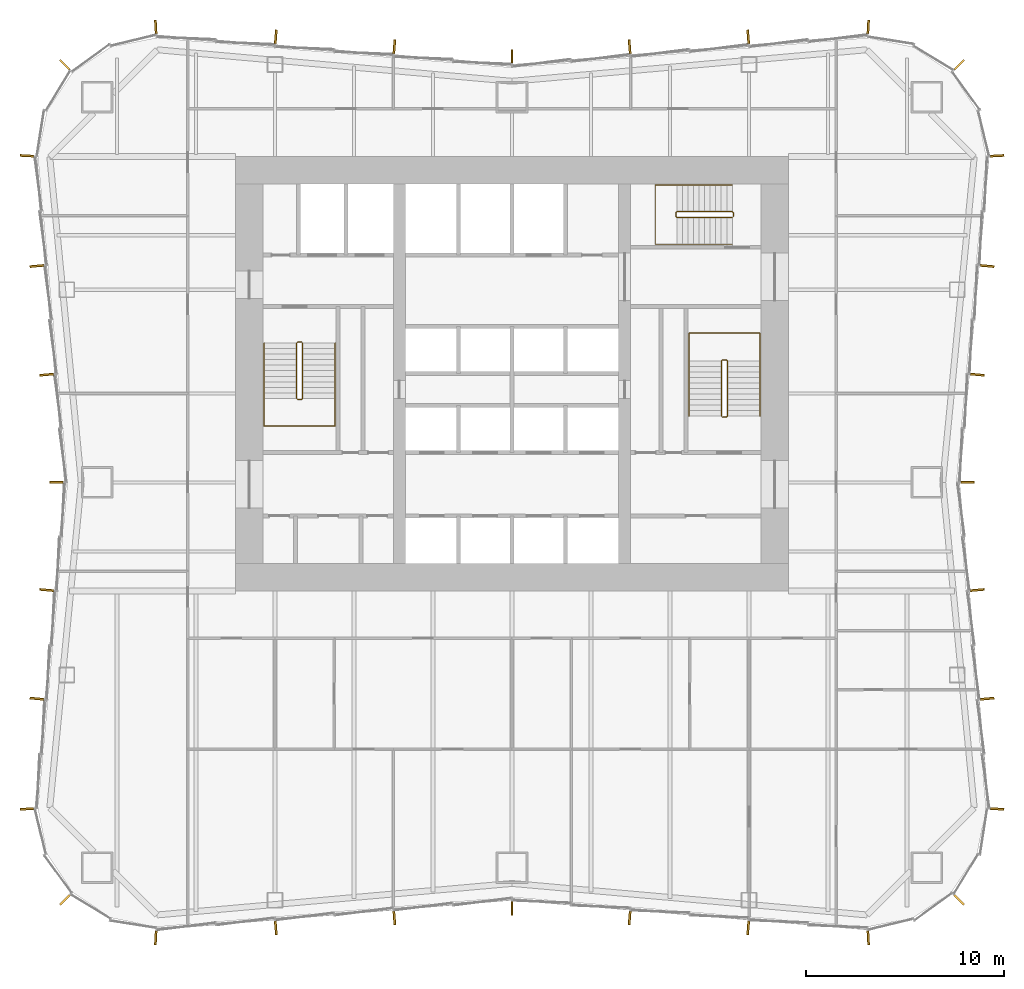
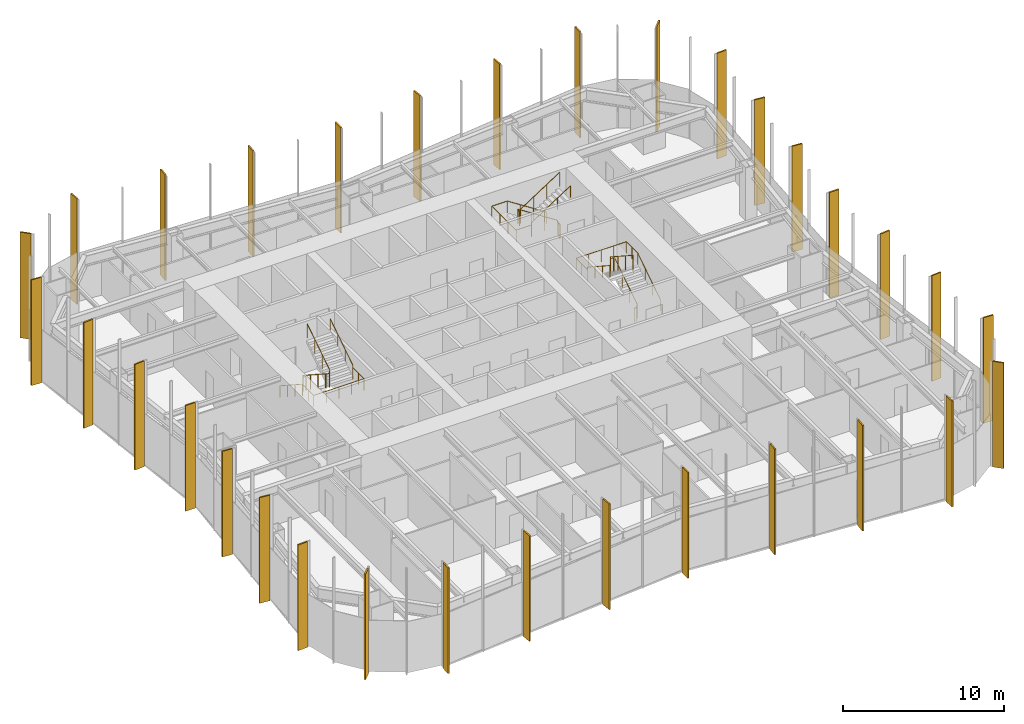
# One storey, part 13 of 13: 32 shading devices, 6 railings.
"""IFC4 building model written with IfcOpenShell, lengths in metres."""

from ifc_helpers import new_model, si_unit, direction, frame, origin, origin_2d, place, context, subcontext, project, spatial, rectangle, circle, extrude, material, layer, layer_set, type_object, element, save


model = new_model("IFC4")

# Units and contexts
model_context = context("Model", 3, precision=1e-05, world=origin(), true_north=direction((0.0, 1.0)))
body_context = subcontext(model_context, "Body", "Model", "MODEL_VIEW")
ifc_project = project(units=[si_unit("LENGTHUNIT", "METRE"), si_unit("AREAUNIT", "SQUARE_METRE"), si_unit("VOLUMEUNIT", "CUBIC_METRE"), si_unit("PLANEANGLEUNIT", "RADIAN"), si_unit("MASSUNIT", "GRAM", prefix="KILO")], contexts=[model_context])

# Site, building, storey
site_placement = place(None, origin())
site = spatial("IfcSite", under=ifc_project, at=site_placement, CompositionType="ELEMENT")
building_placement = place(site_placement, origin())
building = spatial("IfcBuilding", under=site, at=building_placement, Name="Verdant Reach Tower", CompositionType="ELEMENT")
storey_placement = place(building_placement, frame((0.0, 0.0, 50.0)))
storey = spatial("IfcBuildingStorey", under=building, at=storey_placement, Name="L11", CompositionType="ELEMENT", Elevation=50.0)

# Railings
ifc_material_1 = material(Name="Stainless steel", Category="steel")
railing_type_1 = type_object("IfcRailingType", Name="CO-GUARD", PredefinedType="GUARDRAIL", material=ifc_material_1)
railing_1_placement = place(storey_placement, frame((-10.64990234375, 29.60009765625, 0.0)))
element("IfcRailing", 1, at=railing_1_placement, inside=storey, type_object=railing_type_1, Name="L11 ST-1 stair guard 1", PredefinedType="GUARDRAIL", context=body_context, shape_type="SweptSolid", body=[
    extrude(circle(Radius=0.02392578125, at=origin_2d()), frame((0.0, 0.0, 1.076171875), z_axis=(-1.0, 0.0, 0.0), x_axis=(0.0, -1.0, 0.0)), (0.0, 0.0, 1.0), 0.2001953125),
    extrude(circle(Radius=0.02392578125, at=origin_2d()), frame((-0.2001953125, 0.0, 1.076171875), z_axis=(-0.25526617399, -0.256517478764, 0.932222056972), x_axis=(0.708833529934, -0.705375805398, 0.0)), (0.0, 0.0, 1.0), 0.195068359375),
    extrude(circle(Radius=0.02392578125, at=origin_2d()), frame((-0.25, -0.050048828125, 1.2578125), z_axis=(0.0, -0.838705829183, 0.544584733623), x_axis=(1.0, 0.0, 0.0)), (0.0, 0.0, 1.0), 3.338623046875),
    extrude(circle(Radius=0.02392578125, at=origin_2d()), frame((-0.25, -2.85009765625, 3.076171875), z_axis=(0.705375805398, -0.708833529934, 0.0), x_axis=(0.708833529934, 0.705375805398, 0.0)), (0.0, 0.0, 1.0), 0.070556640625),
    extrude(circle(Radius=0.02392578125, at=origin_2d()), frame((-0.2001953125, -2.900146484375, 3.076171875), z_axis=(1.0, 0.0, 0.0), x_axis=(0.0, 1.0, 0.0)), (0.0, 0.0, 1.0), 0.2001953125),
    extrude(circle(Radius=0.02392578125, at=origin_2d()), frame((0.0, -2.900146484375, 3.076171875), z_axis=(0.25526617399, 0.256517478764, 0.932222056972), x_axis=(-0.708833529934, 0.705375805398, 0.0)), (0.0, 0.0, 1.0), 0.195068359375),
    extrude(circle(Radius=0.02392578125, at=origin_2d()), frame((0.0498046875, -2.85009765625, 3.2578125), z_axis=(0.0, 0.838705829183, 0.544584733623), x_axis=(-1.0, 0.0, 0.0)), (0.0, 0.0, 1.0), 3.338623046875),
    extrude(circle(Radius=0.02099609375, at=origin_2d()), origin(), (0.0, 0.0, 1.0), 1.052001953125),
    extrude(circle(Radius=0.02099609375, at=origin_2d()), frame((-0.2001953125, 0.0, 0.0)), (0.0, 0.0, 1.0), 1.052001953125),
    extrude(circle(Radius=0.02099609375, at=origin_2d()), frame((-0.25, -0.050048828125, 0.181884765625)), (0.0, 0.0, 1.0), 1.052001953125),
    extrude(circle(Radius=0.02099609375, at=origin_2d()), frame((-0.25, -0.9833984375, 0.787841796875)), (0.0, 0.0, 1.0), 1.052001953125),
    extrude(circle(Radius=0.02099609375, at=origin_2d()), frame((-0.25, -1.916748046875, 1.39404296875)), (0.0, 0.0, 1.0), 1.052001953125),
    extrude(circle(Radius=0.02099609375, at=origin_2d()), frame((-0.25, -2.85009765625, 2.0)), (0.0, 0.0, 1.0), 1.052001953125),
    extrude(circle(Radius=0.02099609375, at=origin_2d()), frame((-0.2001953125, -2.900146484375, 2.0)), (0.0, 0.0, 1.0), 1.052001953125),
    extrude(circle(Radius=0.02099609375, at=origin_2d()), frame((0.0, -2.900146484375, 2.0)), (0.0, 0.0, 1.0), 1.052001953125),
    extrude(circle(Radius=0.02099609375, at=origin_2d()), frame((0.0498046875, -2.85009765625, 2.181884765625)), (0.0, 0.0, 1.0), 1.052001953125),
    extrude(circle(Radius=0.02099609375, at=origin_2d()), frame((0.0498046875, -1.916748046875, 2.787841796875)), (0.0, 0.0, 1.0), 1.052001953125),
    extrude(circle(Radius=0.02099609375, at=origin_2d()), frame((0.0498046875, -0.9833984375, 3.39404296875)), (0.0, 0.0, 1.0), 1.052001953125),
    extrude(circle(Radius=0.02099609375, at=origin_2d()), frame((0.0498046875, -0.050048828125, 4.0)), (0.0, 0.0, 1.0), 1.052001953125),
])
railing_2_placement = place(storey_placement, frame((10.64990234375, 25.800048828125, 0.0)))
element("IfcRailing", 2, at=railing_2_placement, inside=storey, type_object=railing_type_1, Name="L11 ST-2 stair guard 1", PredefinedType="GUARDRAIL", context=body_context, shape_type="SweptSolid", body=[
    extrude(circle(Radius=0.02392578125, at=origin_2d()), frame((0.0, 0.0, 1.076171875), z_axis=(1.0, 0.0, 0.0), x_axis=(0.0, 1.0, 0.0)), (0.0, 0.0, 1.0), 0.2001953125),
    extrude(circle(Radius=0.02392578125, at=origin_2d()), frame((0.2001953125, 0.0, 1.076171875), z_axis=(0.25526617399, 0.256517478764, 0.932222056972), x_axis=(-0.708833529934, 0.705375805398, 0.0)), (0.0, 0.0, 1.0), 0.195068359375),
    extrude(circle(Radius=0.02392578125, at=origin_2d()), frame((0.25, 0.050048828125, 1.2578125), z_axis=(0.0, 0.83868413941, 0.544618136222), x_axis=(-1.0, 0.0, 0.0)), (0.0, 0.0, 1.0), 3.33837890625),
    extrude(circle(Radius=0.02392578125, at=origin_2d()), frame((0.25, 2.849853515625, 3.076171875), z_axis=(-0.705375805398, 0.708833529934, 0.0), x_axis=(-0.708833529934, -0.705375805398, 0.0)), (0.0, 0.0, 1.0), 0.070556640625),
    extrude(circle(Radius=0.02392578125, at=origin_2d()), frame((0.2001953125, 2.89990234375, 3.076171875), z_axis=(-1.0, 0.0, 0.0), x_axis=(0.0, -1.0, 0.0)), (0.0, 0.0, 1.0), 0.2001953125),
    extrude(circle(Radius=0.02392578125, at=origin_2d()), frame((0.0, 2.89990234375, 3.076171875), z_axis=(-0.25526617399, -0.256517478764, 0.932222056972), x_axis=(0.708833529934, -0.705375805398, 0.0)), (0.0, 0.0, 1.0), 0.195068359375),
    extrude(circle(Radius=0.02392578125, at=origin_2d()), frame((-0.0498046875, 2.849853515625, 3.2578125), z_axis=(0.0, -0.83868413941, 0.544618136222), x_axis=(1.0, 0.0, 0.0)), (0.0, 0.0, 1.0), 3.33837890625),
    extrude(circle(Radius=0.02099609375, at=origin_2d()), origin(), (0.0, 0.0, 1.0), 1.052001953125),
    extrude(circle(Radius=0.02099609375, at=origin_2d()), frame((0.2001953125, 0.0, 0.0)), (0.0, 0.0, 1.0), 1.052001953125),
    extrude(circle(Radius=0.02099609375, at=origin_2d()), frame((0.25, 0.050048828125, 0.181884765625)), (0.0, 0.0, 1.0), 1.052001953125),
    extrude(circle(Radius=0.02099609375, at=origin_2d()), frame((0.25, 0.9833984375, 0.787841796875)), (0.0, 0.0, 1.0), 1.052001953125),
    extrude(circle(Radius=0.02099609375, at=origin_2d()), frame((0.25, 1.91650390625, 1.39404296875)), (0.0, 0.0, 1.0), 1.052001953125),
    extrude(circle(Radius=0.02099609375, at=origin_2d()), frame((0.25, 2.849853515625, 2.0)), (0.0, 0.0, 1.0), 1.052001953125),
    extrude(circle(Radius=0.02099609375, at=origin_2d()), frame((0.2001953125, 2.89990234375, 2.0)), (0.0, 0.0, 1.0), 1.052001953125),
    extrude(circle(Radius=0.02099609375, at=origin_2d()), frame((0.0, 2.89990234375, 2.0)), (0.0, 0.0, 1.0), 1.052001953125),
    extrude(circle(Radius=0.02099609375, at=origin_2d()), frame((-0.0498046875, 2.849853515625, 2.181884765625)), (0.0, 0.0, 1.0), 1.052001953125),
    extrude(circle(Radius=0.02099609375, at=origin_2d()), frame((-0.0498046875, 1.91650390625, 2.787841796875)), (0.0, 0.0, 1.0), 1.052001953125),
    extrude(circle(Radius=0.02099609375, at=origin_2d()), frame((-0.0498046875, 0.9833984375, 3.39404296875)), (0.0, 0.0, 1.0), 1.052001953125),
    extrude(circle(Radius=0.02099609375, at=origin_2d()), frame((-0.0498046875, 0.050048828125, 4.0)), (0.0, 0.0, 1.0), 1.052001953125),
])
railing_3_placement = place(storey_placement, frame((11.199951171875, 35.949951171875, 0.0)))
element("IfcRailing", 3, at=railing_3_placement, inside=storey, type_object=railing_type_1, Name="L11 ST-3 stair guard 1", PredefinedType="GUARDRAIL", context=body_context, shape_type="SweptSolid", body=[
    extrude(circle(Radius=0.02392578125, at=origin_2d()), frame((0.0, 0.0, 1.076171875), z_axis=(0.0, 1.0, 0.0), x_axis=(-1.0, 0.0, 0.0)), (0.0, 0.0, 1.0), 0.199951171875),
    extrude(circle(Radius=0.02392578125, at=origin_2d()), frame((0.0, 0.199951171875, 1.076171875), z_axis=(-0.256435381639, 0.256435381639, 0.931923704005), x_axis=(-0.707106781187, -0.707106781187, 0.0)), (0.0, 0.0, 1.0), 0.195068359375),
    extrude(circle(Radius=0.02392578125, at=origin_2d()), frame((-0.050048828125, 0.25, 1.2578125), z_axis=(-0.83868413941, 0.0, 0.544618136222), x_axis=(0.0, -1.0, 0.0)), (0.0, 0.0, 1.0), 3.33837890625),
    extrude(circle(Radius=0.02392578125, at=origin_2d()), frame((-2.849853515625, 0.25, 3.076171875), z_axis=(-0.707106781187, -0.707106781187, 0.0), x_axis=(0.707106781187, -0.707106781187, 0.0)), (0.0, 0.0, 1.0), 0.07080078125),
    extrude(circle(Radius=0.02392578125, at=origin_2d()), frame((-2.89990234375, 0.199951171875, 3.076171875), z_axis=(0.0, -1.0, 0.0), x_axis=(1.0, 0.0, 0.0)), (0.0, 0.0, 1.0), 0.199951171875),
    extrude(circle(Radius=0.02392578125, at=origin_2d()), frame((-2.89990234375, 0.0, 3.076171875), z_axis=(0.256435381639, -0.256435381639, 0.931923704005), x_axis=(0.707106781187, 0.707106781187, 0.0)), (0.0, 0.0, 1.0), 0.195068359375),
    extrude(circle(Radius=0.02392578125, at=origin_2d()), frame((-2.849853515625, -0.050048828125, 3.2578125), z_axis=(0.83868413941, 0.0, 0.544618136222), x_axis=(0.0, 1.0, 0.0)), (0.0, 0.0, 1.0), 3.33837890625),
    extrude(circle(Radius=0.02099609375, at=origin_2d()), origin(), (0.0, 0.0, 1.0), 1.052001953125),
    extrude(circle(Radius=0.02099609375, at=origin_2d()), frame((0.0, 0.199951171875, 0.0)), (0.0, 0.0, 1.0), 1.052001953125),
    extrude(circle(Radius=0.02099609375, at=origin_2d()), frame((-0.050048828125, 0.25, 0.181884765625)), (0.0, 0.0, 1.0), 1.052001953125),
    extrude(circle(Radius=0.02099609375, at=origin_2d()), frame((-0.9833984375, 0.25, 0.787841796875)), (0.0, 0.0, 1.0), 1.052001953125),
    extrude(circle(Radius=0.02099609375, at=origin_2d()), frame((-1.91650390625, 0.25, 1.39404296875)), (0.0, 0.0, 1.0), 1.052001953125),
    extrude(circle(Radius=0.02099609375, at=origin_2d()), frame((-2.849853515625, 0.25, 2.0)), (0.0, 0.0, 1.0), 1.052001953125),
    extrude(circle(Radius=0.02099609375, at=origin_2d()), frame((-2.89990234375, 0.199951171875, 2.0)), (0.0, 0.0, 1.0), 1.052001953125),
    extrude(circle(Radius=0.02099609375, at=origin_2d()), frame((-2.89990234375, 0.0, 2.0)), (0.0, 0.0, 1.0), 1.052001953125),
    extrude(circle(Radius=0.02099609375, at=origin_2d()), frame((-2.849853515625, -0.050048828125, 2.181884765625)), (0.0, 0.0, 1.0), 1.052001953125),
    extrude(circle(Radius=0.02099609375, at=origin_2d()), frame((-1.91650390625, -0.050048828125, 2.787841796875)), (0.0, 0.0, 1.0), 1.052001953125),
    extrude(circle(Radius=0.02099609375, at=origin_2d()), frame((-0.9833984375, -0.050048828125, 3.39404296875)), (0.0, 0.0, 1.0), 1.052001953125),
    extrude(circle(Radius=0.02099609375, at=origin_2d()), frame((-0.050048828125, -0.050048828125, 4.0)), (0.0, 0.0, 1.0), 1.052001953125),
])
railing_type_2 = type_object("IfcRailingType", Name="CO-HANDRAIL", PredefinedType="HANDRAIL", material=ifc_material_1)
railing_4_placement = place(storey_placement, frame((-12.550048828125, 29.550048828125, 0.181884765625)))
element("IfcRailing", 4, at=railing_4_placement, inside=storey, type_object=railing_type_2, Name="L11 ST-1 stair handrail 1", PredefinedType="HANDRAIL", context=body_context, shape_type="SweptSolid", body=[
    extrude(circle(Radius=0.02392578125, at=origin_2d()), frame((0.0, 0.0, 0.8759765625), z_axis=(0.0, -0.838705829183, 0.544584733623), x_axis=(1.0, 0.0, 0.0)), (0.0, 0.0, 1.0), 3.338623046875),
    extrude(circle(Radius=0.02392578125, at=origin_2d()), frame((0.0, -2.800048828125, 2.69384765625), z_axis=(0.0, -1.0, 0.0), x_axis=(1.0, 0.0, 0.0)), (0.0, 0.0, 1.0), 1.39990234375),
    extrude(circle(Radius=0.02392578125, at=origin_2d()), frame((0.0, -4.199951171875, 2.69384765625), z_axis=(1.0, 0.0, 0.0), x_axis=(0.0, 1.0, 0.0)), (0.0, 0.0, 1.0), 3.60009765625),
    extrude(circle(Radius=0.02392578125, at=origin_2d()), frame((3.60009765625, -4.199951171875, 2.69384765625), z_axis=(0.0, 1.0, 0.0), x_axis=(-1.0, 0.0, 0.0)), (0.0, 0.0, 1.0), 1.39990234375),
    extrude(circle(Radius=0.02392578125, at=origin_2d()), frame((3.60009765625, -2.800048828125, 2.69384765625), z_axis=(0.0, 0.0, 1.0), x_axis=(1.0, 0.0, 0.0)), (0.0, 0.0, 1.0), 0.181884765625),
    extrude(circle(Radius=0.02392578125, at=origin_2d()), frame((3.60009765625, -2.800048828125, 2.8759765625), z_axis=(0.0, 0.838705829183, 0.544584733623), x_axis=(-1.0, 0.0, 0.0)), (0.0, 0.0, 1.0), 3.338623046875),
    extrude(circle(Radius=0.02099609375, at=origin_2d()), origin(), (0.0, 0.0, 1.0), 0.851806640625),
    extrude(circle(Radius=0.02099609375, at=origin_2d()), frame((0.0, -0.933349609375, 0.60595703125)), (0.0, 0.0, 1.0), 0.851806640625),
    extrude(circle(Radius=0.02099609375, at=origin_2d()), frame((0.0, -1.86669921875, 1.212158203125)), (0.0, 0.0, 1.0), 0.851806640625),
    extrude(circle(Radius=0.02099609375, at=origin_2d()), frame((0.0, -2.800048828125, 1.818115234375)), (0.0, 0.0, 1.0), 0.851806640625),
    extrude(circle(Radius=0.02099609375, at=origin_2d()), frame((0.0, -3.5, 1.818115234375)), (0.0, 0.0, 1.0), 0.851806640625),
    extrude(circle(Radius=0.02099609375, at=origin_2d()), frame((0.0, -4.199951171875, 1.818115234375)), (0.0, 0.0, 1.0), 0.851806640625),
    extrude(circle(Radius=0.02099609375, at=origin_2d()), frame((0.89990234375, -4.199951171875, 1.818115234375)), (0.0, 0.0, 1.0), 0.851806640625),
    extrude(circle(Radius=0.02099609375, at=origin_2d()), frame((1.800048828125, -4.199951171875, 1.818115234375)), (0.0, 0.0, 1.0), 0.851806640625),
    extrude(circle(Radius=0.02099609375, at=origin_2d()), frame((2.7001953125, -4.199951171875, 1.818115234375)), (0.0, 0.0, 1.0), 0.851806640625),
    extrude(circle(Radius=0.02099609375, at=origin_2d()), frame((3.60009765625, -4.199951171875, 1.818115234375)), (0.0, 0.0, 1.0), 0.851806640625),
    extrude(circle(Radius=0.02099609375, at=origin_2d()), frame((3.60009765625, -3.5, 1.818115234375)), (0.0, 0.0, 1.0), 0.851806640625),
    extrude(circle(Radius=0.02099609375, at=origin_2d()), frame((3.60009765625, -2.800048828125, 1.818115234375)), (0.0, 0.0, 1.0), 0.851806640625),
    extrude(circle(Radius=0.02099609375, at=origin_2d()), frame((3.60009765625, -2.800048828125, 2.0)), (0.0, 0.0, 1.0), 0.851806640625),
    extrude(circle(Radius=0.02099609375, at=origin_2d()), frame((3.60009765625, -1.86669921875, 2.60595703125)), (0.0, 0.0, 1.0), 0.851806640625),
    extrude(circle(Radius=0.02099609375, at=origin_2d()), frame((3.60009765625, -0.933349609375, 3.212158203125)), (0.0, 0.0, 1.0), 0.851806640625),
    extrude(circle(Radius=0.02099609375, at=origin_2d()), frame((3.60009765625, 0.0, 3.818115234375)), (0.0, 0.0, 1.0), 0.851806640625),
])
railing_5_placement = place(storey_placement, frame((12.550048828125, 25.85009765625, 0.181884765625)))
element("IfcRailing", 5, at=railing_5_placement, inside=storey, type_object=railing_type_2, Name="L11 ST-2 stair handrail 1", PredefinedType="HANDRAIL", context=body_context, shape_type="SweptSolid", body=[
    extrude(circle(Radius=0.02392578125, at=origin_2d()), frame((0.0, 0.0, 0.8759765625), z_axis=(0.0, 0.83868413941, 0.544618136222), x_axis=(-1.0, 0.0, 0.0)), (0.0, 0.0, 1.0), 3.33837890625),
    extrude(circle(Radius=0.02392578125, at=origin_2d()), frame((0.0, 2.7998046875, 2.69384765625), z_axis=(0.0, 1.0, 0.0), x_axis=(-1.0, 0.0, 0.0)), (0.0, 0.0, 1.0), 1.400146484375),
    extrude(circle(Radius=0.02392578125, at=origin_2d()), frame((0.0, 4.199951171875, 2.69384765625), z_axis=(-1.0, 0.0, 0.0), x_axis=(0.0, -1.0, 0.0)), (0.0, 0.0, 1.0), 3.60009765625),
    extrude(circle(Radius=0.02392578125, at=origin_2d()), frame((-3.60009765625, 4.199951171875, 2.69384765625), z_axis=(0.0, -1.0, 0.0), x_axis=(1.0, 0.0, 0.0)), (0.0, 0.0, 1.0), 1.400146484375),
    extrude(circle(Radius=0.02392578125, at=origin_2d()), frame((-3.60009765625, 2.7998046875, 2.69384765625), z_axis=(0.0, 0.0, 1.0), x_axis=(1.0, 0.0, 0.0)), (0.0, 0.0, 1.0), 0.181884765625),
    extrude(circle(Radius=0.02392578125, at=origin_2d()), frame((-3.60009765625, 2.7998046875, 2.8759765625), z_axis=(0.0, -0.83868413941, 0.544618136222), x_axis=(1.0, 0.0, 0.0)), (0.0, 0.0, 1.0), 3.33837890625),
    extrude(circle(Radius=0.02099609375, at=origin_2d()), origin(), (0.0, 0.0, 1.0), 0.851806640625),
    extrude(circle(Radius=0.02099609375, at=origin_2d()), frame((0.0, 0.933349609375, 0.60595703125)), (0.0, 0.0, 1.0), 0.851806640625),
    extrude(circle(Radius=0.02099609375, at=origin_2d()), frame((0.0, 1.866455078125, 1.212158203125)), (0.0, 0.0, 1.0), 0.851806640625),
    extrude(circle(Radius=0.02099609375, at=origin_2d()), frame((0.0, 2.7998046875, 1.818115234375)), (0.0, 0.0, 1.0), 0.851806640625),
    extrude(circle(Radius=0.02099609375, at=origin_2d()), frame((0.0, 3.5, 1.818115234375)), (0.0, 0.0, 1.0), 0.851806640625),
    extrude(circle(Radius=0.02099609375, at=origin_2d()), frame((0.0, 4.199951171875, 1.818115234375)), (0.0, 0.0, 1.0), 0.851806640625),
    extrude(circle(Radius=0.02099609375, at=origin_2d()), frame((-0.89990234375, 4.199951171875, 1.818115234375)), (0.0, 0.0, 1.0), 0.851806640625),
    extrude(circle(Radius=0.02099609375, at=origin_2d()), frame((-1.800048828125, 4.199951171875, 1.818115234375)), (0.0, 0.0, 1.0), 0.851806640625),
    extrude(circle(Radius=0.02099609375, at=origin_2d()), frame((-2.7001953125, 4.199951171875, 1.818115234375)), (0.0, 0.0, 1.0), 0.851806640625),
    extrude(circle(Radius=0.02099609375, at=origin_2d()), frame((-3.60009765625, 4.199951171875, 1.818115234375)), (0.0, 0.0, 1.0), 0.851806640625),
    extrude(circle(Radius=0.02099609375, at=origin_2d()), frame((-3.60009765625, 3.5, 1.818115234375)), (0.0, 0.0, 1.0), 0.851806640625),
    extrude(circle(Radius=0.02099609375, at=origin_2d()), frame((-3.60009765625, 2.7998046875, 1.818115234375)), (0.0, 0.0, 1.0), 0.851806640625),
    extrude(circle(Radius=0.02099609375, at=origin_2d()), frame((-3.60009765625, 2.7998046875, 2.0)), (0.0, 0.0, 1.0), 0.851806640625),
    extrude(circle(Radius=0.02099609375, at=origin_2d()), frame((-3.60009765625, 1.866455078125, 2.60595703125)), (0.0, 0.0, 1.0), 0.851806640625),
    extrude(circle(Radius=0.02099609375, at=origin_2d()), frame((-3.60009765625, 0.933349609375, 3.212158203125)), (0.0, 0.0, 1.0), 0.851806640625),
    extrude(circle(Radius=0.02099609375, at=origin_2d()), frame((-3.60009765625, 0.0, 3.818115234375)), (0.0, 0.0, 1.0), 0.851806640625),
])
railing_6_placement = place(storey_placement, frame((11.14990234375, 37.550048828125, 0.181884765625)))
element("IfcRailing", 6, at=railing_6_placement, inside=storey, type_object=railing_type_2, Name="L11 ST-3 stair handrail 1", PredefinedType="HANDRAIL", context=body_context, shape_type="SweptSolid", body=[
    extrude(circle(Radius=0.02392578125, at=origin_2d()), frame((0.0, 0.0, 0.8759765625), z_axis=(-0.83868413941, 0.0, 0.544618136222), x_axis=(0.0, -1.0, 0.0)), (0.0, 0.0, 1.0), 3.33837890625),
    extrude(circle(Radius=0.02392578125, at=origin_2d()), frame((-2.7998046875, 0.0, 2.69384765625), z_axis=(-1.0, 0.0, 0.0), x_axis=(0.0, -1.0, 0.0)), (0.0, 0.0, 1.0), 1.10009765625),
    extrude(circle(Radius=0.02392578125, at=origin_2d()), frame((-3.89990234375, 0.0, 2.69384765625), z_axis=(0.0, -1.0, 0.0), x_axis=(1.0, 0.0, 0.0)), (0.0, 0.0, 1.0), 3.0),
    extrude(circle(Radius=0.02392578125, at=origin_2d()), frame((-3.89990234375, -3.0, 2.69384765625), z_axis=(1.0, 0.0, 0.0), x_axis=(0.0, 1.0, 0.0)), (0.0, 0.0, 1.0), 1.10009765625),
    extrude(circle(Radius=0.02392578125, at=origin_2d()), frame((-2.7998046875, -3.0, 2.69384765625), z_axis=(0.0, 0.0, 1.0), x_axis=(1.0, 0.0, 0.0)), (0.0, 0.0, 1.0), 0.181884765625),
    extrude(circle(Radius=0.02392578125, at=origin_2d()), frame((-2.7998046875, -3.0, 2.8759765625), z_axis=(0.83868413941, 0.0, 0.544618136222), x_axis=(0.0, 1.0, 0.0)), (0.0, 0.0, 1.0), 3.33837890625),
    extrude(circle(Radius=0.02099609375, at=origin_2d()), origin(), (0.0, 0.0, 1.0), 0.851806640625),
    extrude(circle(Radius=0.02099609375, at=origin_2d()), frame((-0.933349609375, 0.0, 0.60595703125)), (0.0, 0.0, 1.0), 0.851806640625),
    extrude(circle(Radius=0.02099609375, at=origin_2d()), frame((-1.866455078125, 0.0, 1.212158203125)), (0.0, 0.0, 1.0), 0.851806640625),
    extrude(circle(Radius=0.02099609375, at=origin_2d()), frame((-2.7998046875, 0.0, 1.818115234375)), (0.0, 0.0, 1.0), 0.851806640625),
    extrude(circle(Radius=0.02099609375, at=origin_2d()), frame((-3.89990234375, 0.0, 1.818115234375)), (0.0, 0.0, 1.0), 0.851806640625),
    extrude(circle(Radius=0.02099609375, at=origin_2d()), frame((-3.89990234375, -1.0, 1.818115234375)), (0.0, 0.0, 1.0), 0.851806640625),
    extrude(circle(Radius=0.02099609375, at=origin_2d()), frame((-3.89990234375, -2.0, 1.818115234375)), (0.0, 0.0, 1.0), 0.851806640625),
    extrude(circle(Radius=0.02099609375, at=origin_2d()), frame((-3.89990234375, -3.0, 1.818115234375)), (0.0, 0.0, 1.0), 0.851806640625),
    extrude(circle(Radius=0.02099609375, at=origin_2d()), frame((-2.7998046875, -3.0, 1.818115234375)), (0.0, 0.0, 1.0), 0.851806640625),
    extrude(circle(Radius=0.02099609375, at=origin_2d()), frame((-2.7998046875, -3.0, 2.0)), (0.0, 0.0, 1.0), 0.851806640625),
    extrude(circle(Radius=0.02099609375, at=origin_2d()), frame((-1.866455078125, -3.0, 2.60595703125)), (0.0, 0.0, 1.0), 0.851806640625),
    extrude(circle(Radius=0.02099609375, at=origin_2d()), frame((-0.933349609375, -3.0, 3.212158203125)), (0.0, 0.0, 1.0), 0.851806640625),
    extrude(circle(Radius=0.02099609375, at=origin_2d()), frame((0.0, -3.0, 3.818115234375)), (0.0, 0.0, 1.0), 0.851806640625),
])

# Shading devices
ifc_material_2 = material(Name="Bronze fin, champagne", Category="aluminium")
ifc_layer_1 = layer(ifc_material_2, 0.10009765625)
ifc_layer_set_1 = layer_set([ifc_layer_1], Name="EN-FIN CHAMPAGNE")
shading_device_type_1 = type_object("IfcShadingDeviceType", Name="EN-FIN CHAMPAGNE", PredefinedType="USERDEFINED", material=ifc_layer_set_1)
for number, where, z_axis, x_axis, name in (
    (7, (18.031005859375, -0.549072265625, -0.35009765625), (0.0, 0.0, 1.0), (0.998398681387, 0.056569187765, 0.0), "Fin south-east corner 1, L11"),
    (8, (22.631591796875, 1.368408203125, -0.35009765625), (0.0, 0.0, 1.0), (0.707106781187, 0.707106781187, 0.0), "Fin south-east corner 3, L11"),
    (9, (24.54931640625, 5.970947265625, -0.35009765625), (0.0, 0.0, 1.0), (0.052815489107, 0.998604288049, 0.0), "Fin east face part 1 1, L11"),
    (10, (23.050048828125, 22.5, -0.35009765625), (0.0, 0.0, 1.0), (0.0, 1.0, 0.0), "Fin east face part 2 1, L11"),
    (11, (24.54931640625, 39.029052734375, -0.35009765625), (0.0, 0.0, 1.0), (-0.052815489107, 0.998604288049, 0.0), "Fin north-east corner 1, L11"),
    (12, (5.954345703125, 44.548095703125, -0.35009765625), (0.0, 0.0, 1.0), (-0.996545758244, -0.083045479859, 0.0), "Fin north face part 1 5, L11"),
    (13, (0.0, 44.050048828125, -0.35009765625), (0.0, 0.0, 1.0), (-1.0, 0.0, 0.0), "Fin north face part 2 1, L11"),
    (14, (-24.0478515625, 33.4501953125, -0.35009765625), (0.0, 0.0, 1.0), (0.090535746047, -0.995893206467, 0.0), "Fin west face part 1 3, L11"),
    (15, (-23.5478515625, 27.9501953125, -0.35009765625), (0.0, 0.0, 1.0), (0.090535746047, -0.995893206467, 0.0), "Fin west face part 1 5, L11"),
    (16, (-24.0478515625, 11.5498046875, -0.35009765625), (0.0, 0.0, 1.0), (-0.090535746047, -0.995893206467, 0.0), "Fin west face part 2 5, L11"),
    (17, (-22.631591796875, 1.368408203125, -0.35009765625), (0.0, 0.0, 1.0), (0.707106781187, -0.707106781187, 0.0), "Fin south-west corner 3, L11"),
    (18, (-18.031005859375, -0.549072265625, -0.35009765625), (0.0, 0.0, 1.0), (0.998398681387, -0.056569187765, 0.0), "Fin south face part 1 1, L11"),
    (19, (-11.954345703125, -0.048095703125, -0.35009765625), (0.0, 0.0, 1.0), (0.996545758244, 0.083045479859, 0.0), "Fin south face part 1 3, L11"),
    (20, (5.954345703125, 0.451904296875, -0.35009765625), (0.0, 0.0, 1.0), (0.996545758244, -0.083045479859, 0.0), "Fin south face part 2 3, L11"),
):
    element("IfcShadingDevice", number, at=place(storey_placement, frame(where, z_axis=z_axis, x_axis=x_axis)), inside=storey, type_object=shading_device_type_1, Name=name, ObjectType="FIN", PredefinedType="USERDEFINED", context=body_context, shape_type="SweptSolid", body=[
        extrude(rectangle(XDim=0.10009765625, YDim=0.699951171875, at=origin_2d()), origin(), (0.0, 0.0, 1.0), 8.0),
    ])
ifc_material_3 = material(Name="Bronze fin, copper", Category="aluminium")
ifc_layer_2 = layer(ifc_material_3, 0.10009765625)
ifc_layer_set_2 = layer_set([ifc_layer_2], Name="EN-FIN COPPER")
shading_device_type_2 = type_object("IfcShadingDeviceType", Name="EN-FIN COPPER", PredefinedType="USERDEFINED", material=ifc_layer_set_2)
for number, where, z_axis, x_axis, name in (
    (21, (24.0478515625, 11.5498046875, -0.35009765625), (0.0, 0.0, 1.0), (-0.090535746047, 0.995893206467, 0.0), "Fin east face part 1 3, L11"),
    (22, (23.5478515625, 27.9501953125, -0.35009765625), (0.0, 0.0, 1.0), (0.090535746047, 0.995893206467, 0.0), "Fin east face part 2 3, L11"),
    (23, (24.0478515625, 33.4501953125, -0.35009765625), (0.0, 0.0, 1.0), (0.090535746047, 0.995893206467, 0.0), "Fin east face part 2 5, L11"),
    (24, (22.631591796875, 43.631591796875, -0.35009765625), (0.0, 0.0, 1.0), (-0.707106781187, 0.707106781187, 0.0), "Fin north-east corner 3, L11"),
    (25, (18.031005859375, 45.549072265625, -0.35009765625), (0.0, 0.0, 1.0), (-0.998398681387, 0.056569187765, 0.0), "Fin north face part 1 1, L11"),
    (26, (-5.954345703125, 44.548095703125, -0.35009765625), (0.0, 0.0, 1.0), (-0.996545758244, 0.083045479859, 0.0), "Fin north face part 2 3, L11"),
    (27, (-18.031005859375, 45.549072265625, -0.35009765625), (0.0, 0.0, 1.0), (-0.998398681387, -0.056569187765, 0.0), "Fin north-west corner 1, L11"),
    (28, (-23.050048828125, 22.5, -0.35009765625), (0.0, 0.0, 1.0), (0.0, -1.0, 0.0), "Fin west face part 2 1, L11"),
    (29, (-5.954345703125, 0.451904296875, -0.35009765625), (0.0, 0.0, 1.0), (0.996545758244, 0.083045479859, 0.0), "Fin south face part 1 5, L11"),
    (30, (11.954345703125, -0.048095703125, -0.35009765625), (0.0, 0.0, 1.0), (0.996545758244, -0.083045479859, 0.0), "Fin south face part 2 5, L11"),
):
    element("IfcShadingDevice", number, at=place(storey_placement, frame(where, z_axis=z_axis, x_axis=x_axis)), inside=storey, type_object=shading_device_type_2, Name=name, ObjectType="FIN", PredefinedType="USERDEFINED", context=body_context, shape_type="SweptSolid", body=[
        extrude(rectangle(XDim=0.10009765625, YDim=0.699951171875, at=origin_2d()), origin(), (0.0, 0.0, 1.0), 8.0),
    ])
ifc_material_4 = material(Name="Bronze fin, dark bronze", Category="aluminium")
ifc_layer_3 = layer(ifc_material_4, 0.10009765625)
ifc_layer_set_3 = layer_set([ifc_layer_3], Name="EN-FIN DARK")
shading_device_type_3 = type_object("IfcShadingDeviceType", Name="EN-FIN DARK", PredefinedType="USERDEFINED", material=ifc_layer_set_3)
for number, where, z_axis, x_axis, name in (
    (31, (23.5478515625, 17.0498046875, -0.35009765625), (0.0, 0.0, 1.0), (-0.090535746047, 0.995893206467, 0.0), "Fin east face part 1 5, L11"),
    (32, (11.954345703125, 45.048095703125, -0.35009765625), (0.0, 0.0, 1.0), (-0.996545758244, -0.083045479859, 0.0), "Fin north face part 1 3, L11"),
    (33, (-11.954345703125, 45.048095703125, -0.35009765625), (0.0, 0.0, 1.0), (-0.996545758244, 0.083045479859, 0.0), "Fin north face part 2 5, L11"),
    (34, (-22.631591796875, 43.631591796875, -0.35009765625), (0.0, 0.0, 1.0), (-0.707106781187, -0.707106781187, 0.0), "Fin north-west corner 3, L11"),
    (35, (-24.54931640625, 39.029052734375, -0.35009765625), (0.0, 0.0, 1.0), (-0.052815489107, -0.998604288049, 0.0), "Fin west face part 1 1, L11"),
    (36, (-23.5478515625, 17.0498046875, -0.35009765625), (0.0, 0.0, 1.0), (-0.090535746047, -0.995893206467, 0.0), "Fin west face part 2 3, L11"),
    (37, (-24.54931640625, 5.970947265625, -0.35009765625), (0.0, 0.0, 1.0), (0.052815489107, -0.998604288049, 0.0), "Fin south-west corner 1, L11"),
    (38, (0.0, 0.949951171875, -0.35009765625), (0.0, 0.0, 1.0), (1.0, 0.0, 0.0), "Fin south face part 2 1, L11"),
):
    element("IfcShadingDevice", number, at=place(storey_placement, frame(where, z_axis=z_axis, x_axis=x_axis)), inside=storey, type_object=shading_device_type_3, Name=name, ObjectType="FIN", PredefinedType="USERDEFINED", context=body_context, shape_type="SweptSolid", body=[
        extrude(rectangle(XDim=0.10009765625, YDim=0.699951171875, at=origin_2d()), origin(), (0.0, 0.0, 1.0), 8.0),
    ])

save(model, "model.ifc")
